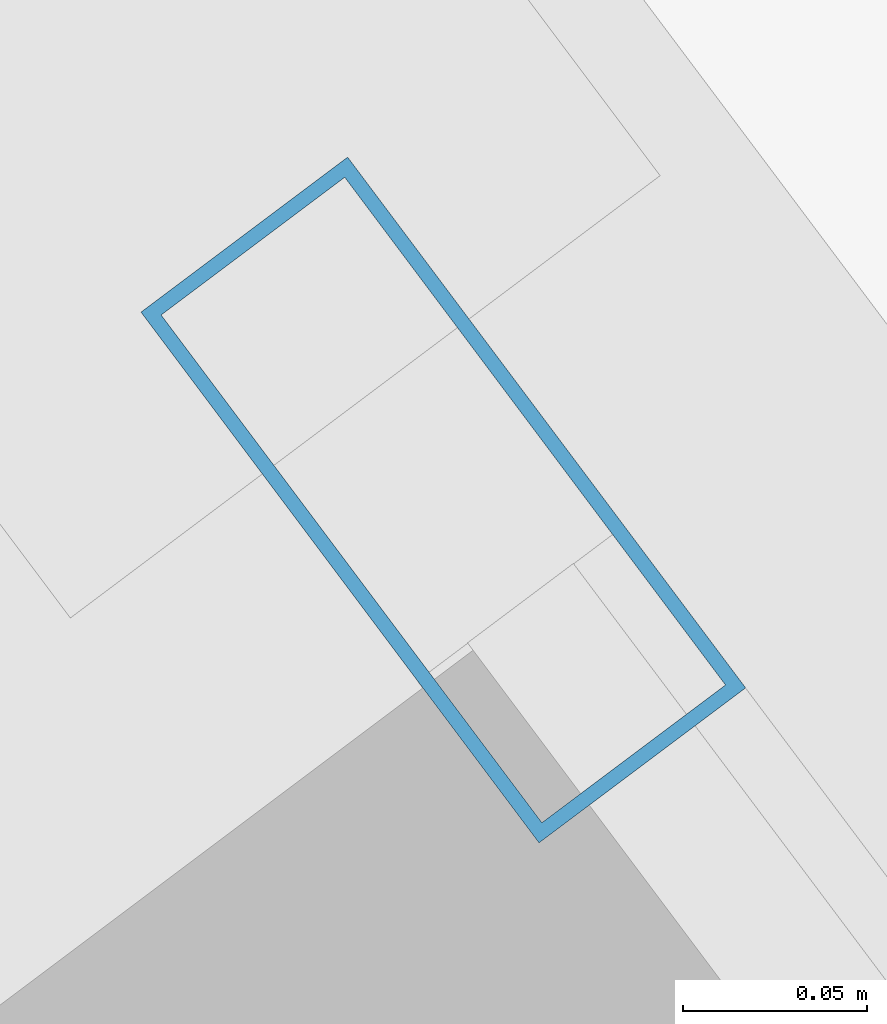
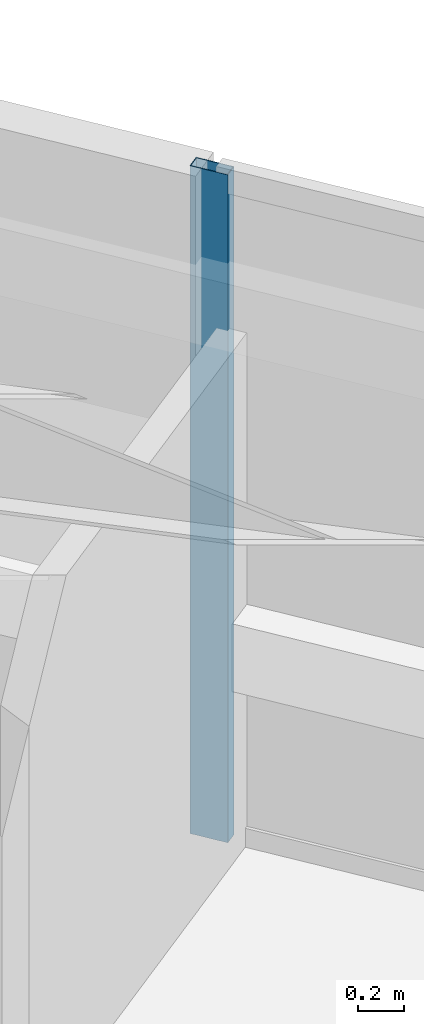
# One storey, part 52 of 65: 1 member, 1 element without a shape of its own.
"""IFC4 building model written with IfcOpenShell, lengths in metres."""

from ifc_helpers import new_model, si_unit, direction, frame, origin, origin_2d, place, context, subcontext, project, spatial, hollow_rectangle, extrude, material, material_profile, profile_set, type_object, element, aggregate, save


model = new_model("IFC4")

# Units and contexts
model_context = context("Model", 3, precision=1e-05, world=origin(), true_north=direction((0.0, 1.0)))
body_context = subcontext(model_context, "Body", "Model", "MODEL_VIEW")
ifc_project = project(units=[si_unit("LENGTHUNIT", "METRE"), si_unit("AREAUNIT", "SQUARE_METRE"), si_unit("VOLUMEUNIT", "CUBIC_METRE"), si_unit("PLANEANGLEUNIT", "RADIAN"), si_unit("MASSUNIT", "GRAM", prefix="KILO")], contexts=[model_context])

# Site, building, storey
site_placement = place(None, origin())
site = spatial("IfcSite", under=ifc_project, at=site_placement, CompositionType="ELEMENT")
building_placement = place(site_placement, origin())
building = spatial("IfcBuilding", under=site, at=building_placement, Name="Tashvorn Skyway Center", CompositionType="ELEMENT")
storey_placement = place(building_placement, frame((0.0, 0.0, 157.0)))
storey = spatial("IfcBuildingStorey", under=building, at=storey_placement, Name="L42", CompositionType="ELEMENT", Elevation=157.0)

# Curtain wall, member
ifc_material = material(Name="Thermally broken bronze-anodized aluminium 6063-T6", Category="aluminium")
curtain_wall_type = type_object("IfcCurtainWallType", Name="CW-CW-Z4", PredefinedType="NOTDEFINED", material=ifc_material)
curtain_wall_placement = place(storey_placement, origin())
curtain_wall = element("IfcCurtainWall", 1, at=curtain_wall_placement, inside=storey, type_object=curtain_wall_type, Name="Tower 2 L42 East Unitised Curtain Wall Glazing Group 1", PredefinedType="NOTDEFINED")
ifc_material_profile = material_profile(ifc_material, hollow_rectangle(XDim=0.070068359375, YDim=0.179931640625, WallThickness=0.00390625, at=origin_2d()), Name="ALU-MULL-70x180")
ifc_profile_set = profile_set([ifc_material_profile], Name="Thermally broken bronze-anodized aluminium 6063-T6")
member_type = type_object("IfcMemberType", Name="CWM-CW-Z4", PredefinedType="MULLION", material=ifc_profile_set)
member_placement = place(storey_placement, frame((120.64111328125, 51.112060546875, 0.0), z_axis=(0.0, 0.0, 1.0), x_axis=(0.799999999998, 0.600000000002, 0.0)))
member = element("IfcMember", 2, at=member_placement, type_object=member_type, Name="CW-Z4 mullion 1", PredefinedType="MULLION", context=body_context, shape_type="SweptSolid", body=[
    extrude(hollow_rectangle(XDim=0.070068359375, YDim=0.179931640625, WallThickness=0.00390625, at=origin_2d()), origin(), (0.0, 0.0, 1.0), 3.550048828125),
])
aggregate(curtain_wall, [member])

save(model, "model.ifc")
